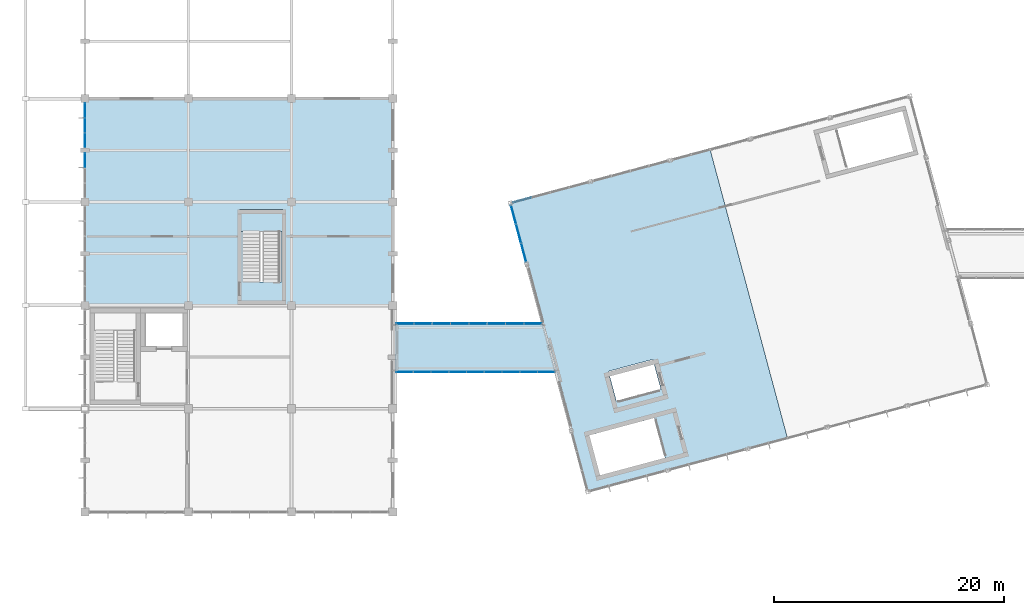
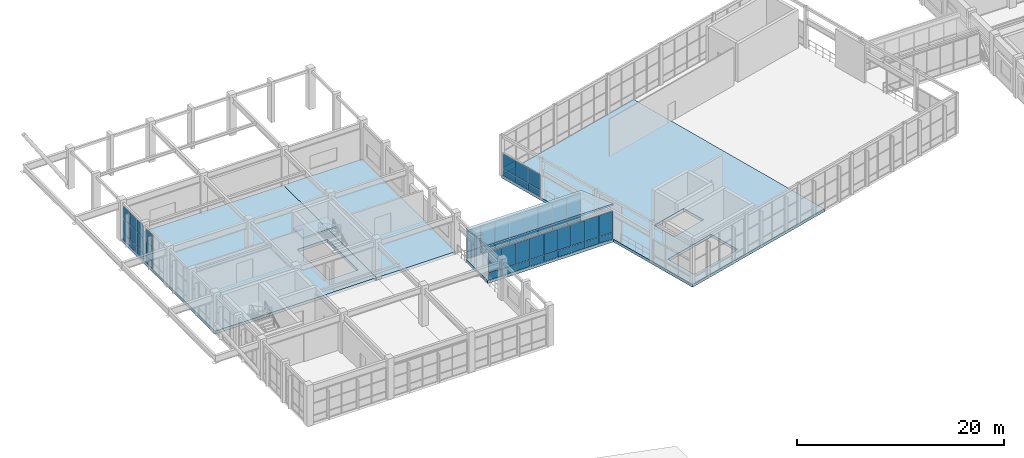
# One storey, part 73 of 99: 53 plates, 6 slabs, 7 elements without a shape of their own.
"""IFC4 building model written with IfcOpenShell, lengths in metres."""

from ifc_helpers import new_model, si_unit, direction, frame, origin, origin_2d, place, context, subcontext, project, spatial, polyline, rectangle, outline, extrude, material, layer, layer_set, type_object, element, aggregate, save


model = new_model("IFC4")

# Units and contexts
model_context = context("Model", 3, precision=1e-05, world=origin(), true_north=direction((0.0, 1.0)))
body_context = subcontext(model_context, "Body", "Model", "MODEL_VIEW")
ifc_project = project(units=[si_unit("LENGTHUNIT", "METRE"), si_unit("AREAUNIT", "SQUARE_METRE"), si_unit("VOLUMEUNIT", "CUBIC_METRE"), si_unit("PLANEANGLEUNIT", "RADIAN"), si_unit("MASSUNIT", "GRAM", prefix="KILO")], contexts=[model_context])

# Site, building, storey
site_placement = place(None, origin())
site = spatial("IfcSite", under=ifc_project, at=site_placement, CompositionType="ELEMENT")
building_placement = place(site_placement, origin())
building = spatial("IfcBuilding", under=site, at=building_placement, Name="Ventoquebrada Cableway Terminal", CompositionType="ELEMENT")
storey_placement = place(building_placement, frame((0.0, 0.0, 9.60009765625)))
storey = spatial("IfcBuildingStorey", under=building, at=storey_placement, Name="L02", CompositionType="ELEMENT", Elevation=9.60009765625)

# Curtain wall, plates
ifc_material_1 = material(Name="Anodized thermally-broken aluminium", Category="aluminium")
ifc_layer_1 = layer(ifc_material_1, 0.159912109375)
ifc_layer_set_1 = layer_set([ifc_layer_1], Name="Anodized thermally-broken aluminium")
curtain_wall_type_1 = type_object("IfcCurtainWallType", Name="CW-T17", PredefinedType="USERDEFINED", material=ifc_layer_set_1)
curtain_wall_1_placement = place(storey_placement, origin())
curtain_wall_1 = element("IfcCurtainWall", 1, at=curtain_wall_1_placement, inside=storey, type_object=curtain_wall_type_1, Name="Unitised glazed curtain wall CW-049", ObjectType="UNITISED CURTAIN WALL", PredefinedType="USERDEFINED")
ifc_material_2 = material(Name="Double low-e laminated safety glazing", Category="glass")
ifc_layer_2 = layer(ifc_material_2, 0.031982421875)
ifc_layer_set_2 = layer_set([ifc_layer_2], Name="Double low-e laminated safety glazing")
plate_type_1 = type_object("IfcPlateType", Name="CWP-GL1", PredefinedType="CURTAIN_PANEL", material=ifc_layer_set_2)
plate_1_placement = place(storey_placement, frame((8.199951171875, 102.969970703125, 2.603271484375), z_axis=(0.0, 0.0, 1.0), x_axis=(0.0, -1.0, 0.0)))
plate_1 = element("IfcPlate", 2, at=plate_1_placement, type_object=plate_type_1, Name="Vision glazing panel PN-0494", PredefinedType="CURTAIN_PANEL", context=body_context, shape_type="SweptSolid", body=[
    extrude(rectangle(XDim=1.22900390625, YDim=0.031982421875, at=origin_2d()), origin(), (0.0, 0.0, 1.0), 1.4970703125),
])
plate_2_placement = place(storey_placement, frame((8.199951171875, 101.675048828125, 0.8740234375), z_axis=(0.0, 0.0, 1.0), x_axis=(0.0, -1.0, 0.0)))
plate_2 = element("IfcPlate", 3, at=plate_2_placement, type_object=plate_type_1, Name="Vision glazing panel PN-0496", PredefinedType="CURTAIN_PANEL", context=body_context, shape_type="SweptSolid", body=[
    extrude(rectangle(XDim=1.263916015625, YDim=0.031982421875, at=origin_2d()), origin(), (0.0, 0.0, 1.0), 1.679931640625),
])
plate_3_placement = place(storey_placement, frame((8.199951171875, 100.37890625, 2.603271484375), z_axis=(0.0, 0.0, 1.0), x_axis=(0.0, -1.0, 0.0)))
plate_3 = element("IfcPlate", 4, at=plate_3_placement, type_object=plate_type_1, Name="Vision glazing panel PN-0500", PredefinedType="CURTAIN_PANEL", context=body_context, shape_type="SweptSolid", body=[
    extrude(rectangle(XDim=1.22900390625, YDim=0.031982421875, at=origin_2d()), origin(), (0.0, 0.0, 1.0), 1.4970703125),
])

# Curtain wall, plate
curtain_wall_2_placement = place(storey_placement, origin())
curtain_wall_2 = element("IfcCurtainWall", 5, at=curtain_wall_2_placement, inside=storey, type_object=curtain_wall_type_1, Name="Unitised glazed curtain wall CW-050", ObjectType="UNITISED CURTAIN WALL", PredefinedType="USERDEFINED")
plate_4_placement = place(storey_placement, frame((8.199951171875, 98.62109375, 2.603271484375), z_axis=(0.0, 0.0, 1.0), x_axis=(0.0, -1.0, 0.0)))
plate_4 = element("IfcPlate", 6, at=plate_4_placement, type_object=plate_type_1, Name="Vision glazing panel PN-0503", PredefinedType="CURTAIN_PANEL", context=body_context, shape_type="SweptSolid", body=[
    extrude(rectangle(XDim=1.22900390625, YDim=0.031982421875, at=origin_2d()), origin(), (0.0, 0.0, 1.0), 1.4970703125),
])

ifc_layer_3 = layer(ifc_material_1, 0.159912109375)
ifc_layer_set_3 = layer_set([ifc_layer_3], Name="Anodized thermally-broken aluminium")
curtain_wall_type_2 = type_object("IfcCurtainWallType", Name="CW-T41", PredefinedType="USERDEFINED", material=ifc_layer_set_3)
curtain_wall_3_placement = place(storey_placement, origin())
curtain_wall_3 = element("IfcCurtainWall", 7, at=curtain_wall_3_placement, inside=storey, type_object=curtain_wall_type_2, Name="Unitised glazed curtain wall CW-112", ObjectType="UNITISED CURTAIN WALL", PredefinedType="USERDEFINED")
plate_5_placement = place(storey_placement, frame((45.9599609375, 92.241943359375, 0.87890625), z_axis=(0.0, 0.0, 1.0), x_axis=(0.258616736395, -0.965980012038, 0.0)))
plate_5 = element("IfcPlate", 8, at=plate_5_placement, type_object=plate_type_1, Name="Vision glazing panel PN-1176", PredefinedType="CURTAIN_PANEL", context=body_context, shape_type="SweptSolid", body=[
    extrude(rectangle(XDim=1.6689453125, YDim=0.031982421875, at=origin_2d()), origin(), (0.0, 0.0, 1.0), 1.80810546875),
])

# Curtain wall, plates
ifc_layer_4 = layer(ifc_material_1, 0.159912109375)
ifc_layer_set_4 = layer_set([ifc_layer_4], Name="Anodized thermally-broken aluminium")
curtain_wall_type_3 = type_object("IfcCurtainWallType", Name="CW-T52", PredefinedType="USERDEFINED", material=ifc_layer_set_4)
curtain_wall_4_placement = place(storey_placement, origin())
curtain_wall_4 = element("IfcCurtainWall", 9, at=curtain_wall_4_placement, inside=storey, type_object=curtain_wall_type_3, Name="Unitised glazed curtain wall CW-171", ObjectType="UNITISED CURTAIN WALL", PredefinedType="USERDEFINED")
plate_6_placement = place(storey_placement, frame((37.56103515625, 80.199951171875, 0.87158203125), z_axis=(0.0, 0.0, 1.0), x_axis=(1.0, 0.0, 0.0)))
plate_6 = element("IfcPlate", 10, at=plate_6_placement, type_object=plate_type_1, Name="Vision glazing panel PN-1794", PredefinedType="CURTAIN_PANEL", context=body_context, shape_type="SweptSolid", body=[
    extrude(rectangle(XDim=1.5, YDim=0.031982421875, at=origin_2d()), origin(), (0.0, 0.0, 1.0), 2.470947265625),
])
plate_7_placement = place(storey_placement, frame((40.64892578125, 80.199951171875, 0.87158203125), z_axis=(0.0, 0.0, 1.0), x_axis=(1.0, 0.0, 0.0)))
plate_7 = element("IfcPlate", 11, at=plate_7_placement, type_object=plate_type_1, Name="Vision glazing panel PN-1798", PredefinedType="CURTAIN_PANEL", context=body_context, shape_type="SweptSolid", body=[
    extrude(rectangle(XDim=1.5, YDim=0.031982421875, at=origin_2d()), origin(), (0.0, 0.0, 1.0), 2.470947265625),
])
plate_8_placement = place(storey_placement, frame((43.738037109375, 80.199951171875, 0.87158203125), z_axis=(0.0, 0.0, 1.0), x_axis=(1.0, 0.0, 0.0)))
plate_8 = element("IfcPlate", 12, at=plate_8_placement, type_object=plate_type_1, Name="Vision glazing panel PN-1802", PredefinedType="CURTAIN_PANEL", context=body_context, shape_type="SweptSolid", body=[
    extrude(rectangle(XDim=1.5, YDim=0.031982421875, at=origin_2d()), origin(), (0.0, 0.0, 1.0), 2.470947265625),
])
plate_9_placement = place(storey_placement, frame((46.825927734375, 80.199951171875, 0.87158203125), z_axis=(0.0, 0.0, 1.0), x_axis=(1.0, 0.0, 0.0)))
plate_9 = element("IfcPlate", 13, at=plate_9_placement, type_object=plate_type_1, Name="Vision glazing panel PN-1806", PredefinedType="CURTAIN_PANEL", context=body_context, shape_type="SweptSolid", body=[
    extrude(rectangle(XDim=1.5, YDim=0.031982421875, at=origin_2d()), origin(), (0.0, 0.0, 1.0), 2.470947265625),
])

ifc_layer_5 = layer(ifc_material_1, 0.159912109375)
ifc_layer_set_5 = layer_set([ifc_layer_5], Name="Anodized thermally-broken aluminium")
curtain_wall_type_4 = type_object("IfcCurtainWallType", Name="CW-T53", PredefinedType="USERDEFINED", material=ifc_layer_set_5)
curtain_wall_5_placement = place(storey_placement, origin())
curtain_wall_5 = element("IfcCurtainWall", 14, at=curtain_wall_5_placement, inside=storey, type_object=curtain_wall_type_4, Name="Unitised glazed curtain wall CW-172", ObjectType="UNITISED CURTAIN WALL", PredefinedType="USERDEFINED")
plate_10_placement = place(storey_placement, frame((45.62109375, 84.39990234375, 0.87158203125), z_axis=(0.0, 0.0, 1.0), x_axis=(-1.0, 0.0, 0.0)))
plate_10 = element("IfcPlate", 15, at=plate_10_placement, type_object=plate_type_1, Name="Vision glazing panel PN-1812", PredefinedType="CURTAIN_PANEL", context=body_context, shape_type="SweptSolid", body=[
    extrude(rectangle(XDim=1.552001953125, YDim=0.031982421875, at=origin_2d()), origin(), (0.0, 0.0, 1.0), 2.470947265625),
])
plate_11_placement = place(storey_placement, frame((42.427978515625, 84.39990234375, 0.87158203125), z_axis=(0.0, 0.0, 1.0), x_axis=(-1.0, 0.0, 0.0)))
plate_11 = element("IfcPlate", 16, at=plate_11_placement, type_object=plate_type_1, Name="Vision glazing panel PN-1816", PredefinedType="CURTAIN_PANEL", context=body_context, shape_type="SweptSolid", body=[
    extrude(rectangle(XDim=1.552001953125, YDim=0.031982421875, at=origin_2d()), origin(), (0.0, 0.0, 1.0), 2.470947265625),
])
plate_12_placement = place(storey_placement, frame((39.236083984375, 84.39990234375, 0.87158203125), z_axis=(0.0, 0.0, 1.0), x_axis=(-1.0, 0.0, 0.0)))
plate_12 = element("IfcPlate", 17, at=plate_12_placement, type_object=plate_type_1, Name="Vision glazing panel PN-1820", PredefinedType="CURTAIN_PANEL", context=body_context, shape_type="SweptSolid", body=[
    extrude(rectangle(XDim=1.552001953125, YDim=0.031982421875, at=origin_2d()), origin(), (0.0, 0.0, 1.0), 2.470947265625),
])
plate_13_placement = place(storey_placement, frame((36.06103515625, 84.39990234375, 0.87158203125), z_axis=(0.0, 0.0, 1.0), x_axis=(-1.0, 0.0, 0.0)))
plate_13 = element("IfcPlate", 18, at=plate_13_placement, type_object=plate_type_1, Name="Vision glazing panel PN-1824", PredefinedType="CURTAIN_PANEL", context=body_context, shape_type="SweptSolid", body=[
    extrude(rectangle(XDim=1.51708984375, YDim=0.031982421875, at=origin_2d()), origin(), (0.0, 0.0, 1.0), 2.470947265625),
])

# Plate
ifc_layer_6 = layer(ifc_material_2, 0.0380859375)
ifc_layer_set_6 = layer_set([ifc_layer_6], Name="Double low-e laminated safety glazing")
plate_type_2 = type_object("IfcPlateType", Name="CWP-GL2", PredefinedType="CURTAIN_PANEL", material=ifc_layer_set_6)
plate_14_placement = place(storey_placement, frame((8.199951171875, 102.969970703125, 0.8740234375), z_axis=(0.0, 0.0, 1.0), x_axis=(0.0, -1.0, 0.0)))
plate_14 = element("IfcPlate", 19, at=plate_14_placement, type_object=plate_type_2, Name="Vision glazing panel PN-0493", PredefinedType="CURTAIN_PANEL", context=body_context, shape_type="SweptSolid", body=[
    extrude(rectangle(XDim=1.22900390625, YDim=0.0380859375, at=origin_2d()), origin(), (0.0, 0.0, 1.0), 1.679931640625),
])

plate_15_placement = place(storey_placement, frame((8.199951171875, 101.675048828125, 2.603271484375), z_axis=(0.0, 0.0, 1.0), x_axis=(0.0, -1.0, 0.0)))
plate_15 = element("IfcPlate", 20, at=plate_15_placement, type_object=plate_type_2, Name="Vision glazing panel PN-0497", PredefinedType="CURTAIN_PANEL", context=body_context, shape_type="SweptSolid", body=[
    extrude(rectangle(XDim=1.263916015625, YDim=0.0380859375, at=origin_2d()), origin(), (0.0, 0.0, 1.0), 1.4970703125),
])

plate_16_placement = place(storey_placement, frame((8.199951171875, 100.37890625, 0.8740234375), z_axis=(0.0, 0.0, 1.0), x_axis=(0.0, -1.0, 0.0)))
plate_16 = element("IfcPlate", 21, at=plate_16_placement, type_object=plate_type_2, Name="Vision glazing panel PN-0499", PredefinedType="CURTAIN_PANEL", context=body_context, shape_type="SweptSolid", body=[
    extrude(rectangle(XDim=1.22900390625, YDim=0.0380859375, at=origin_2d()), origin(), (0.0, 0.0, 1.0), 1.679931640625),
])

plate_17_placement = place(storey_placement, frame((8.199951171875, 98.62109375, 0.8740234375), z_axis=(0.0, 0.0, 1.0), x_axis=(0.0, -1.0, 0.0)))
plate_17 = element("IfcPlate", 22, at=plate_17_placement, type_object=plate_type_2, Name="Vision glazing panel PN-0502", PredefinedType="CURTAIN_PANEL", context=body_context, shape_type="SweptSolid", body=[
    extrude(rectangle(XDim=1.22900390625, YDim=0.0380859375, at=origin_2d()), origin(), (0.0, 0.0, 1.0), 1.679931640625),
])

plate_18_placement = place(storey_placement, frame((45.52197265625, 93.8798828125, 0.87890625), z_axis=(0.0, 0.0, 1.0), x_axis=(0.258616736395, -0.965980012038, 0.0)))
plate_18 = element("IfcPlate", 23, at=plate_18_placement, type_object=plate_type_2, Name="Vision glazing panel PN-1174", PredefinedType="CURTAIN_PANEL", context=body_context, shape_type="SweptSolid", body=[
    extrude(rectangle(XDim=1.634033203125, YDim=0.0380859375, at=origin_2d()), origin(), (0.0, 0.0, 1.0), 1.80810546875),
])

plate_19_placement = place(storey_placement, frame((46.39794921875, 90.60498046875, 0.87890625), z_axis=(0.0, 0.0, 1.0), x_axis=(0.258616736395, -0.965980012038, 0.0)))
plate_19 = element("IfcPlate", 24, at=plate_19_placement, type_object=plate_type_2, Name="Vision glazing panel PN-1178", PredefinedType="CURTAIN_PANEL", context=body_context, shape_type="SweptSolid", body=[
    extrude(rectangle(XDim=1.634033203125, YDim=0.0380859375, at=origin_2d()), origin(), (0.0, 0.0, 1.0), 1.80810546875),
])

plate_20_placement = place(storey_placement, frame((36.034912109375, 80.199951171875, 0.87158203125), z_axis=(0.0, 0.0, 1.0), x_axis=(1.0, 0.0, 0.0)))
plate_20 = element("IfcPlate", 25, at=plate_20_placement, type_object=plate_type_2, Name="Vision glazing panel PN-1792", PredefinedType="CURTAIN_PANEL", context=body_context, shape_type="SweptSolid", body=[
    extrude(rectangle(XDim=1.465087890625, YDim=0.0380859375, at=origin_2d()), origin(), (0.0, 0.0, 1.0), 2.470947265625),
])

plate_21_placement = place(storey_placement, frame((39.10498046875, 80.199951171875, 0.87158203125), z_axis=(0.0, 0.0, 1.0), x_axis=(1.0, 0.0, 0.0)))
plate_21 = element("IfcPlate", 26, at=plate_21_placement, type_object=plate_type_2, Name="Vision glazing panel PN-1796", PredefinedType="CURTAIN_PANEL", context=body_context, shape_type="SweptSolid", body=[
    extrude(rectangle(XDim=1.5, YDim=0.0380859375, at=origin_2d()), origin(), (0.0, 0.0, 1.0), 2.470947265625),
])

plate_22_placement = place(storey_placement, frame((42.194091796875, 80.199951171875, 0.87158203125), z_axis=(0.0, 0.0, 1.0), x_axis=(1.0, 0.0, 0.0)))
plate_22 = element("IfcPlate", 27, at=plate_22_placement, type_object=plate_type_2, Name="Vision glazing panel PN-1800", PredefinedType="CURTAIN_PANEL", context=body_context, shape_type="SweptSolid", body=[
    extrude(rectangle(XDim=1.5, YDim=0.0380859375, at=origin_2d()), origin(), (0.0, 0.0, 1.0), 2.470947265625),
])

plate_23_placement = place(storey_placement, frame((45.281982421875, 80.199951171875, 0.87158203125), z_axis=(0.0, 0.0, 1.0), x_axis=(1.0, 0.0, 0.0)))
plate_23 = element("IfcPlate", 28, at=plate_23_placement, type_object=plate_type_2, Name="Vision glazing panel PN-1804", PredefinedType="CURTAIN_PANEL", context=body_context, shape_type="SweptSolid", body=[
    extrude(rectangle(XDim=1.5, YDim=0.0380859375, at=origin_2d()), origin(), (0.0, 0.0, 1.0), 2.470947265625),
])

plate_24_placement = place(storey_placement, frame((48.35205078125, 80.199951171875, 0.87158203125), z_axis=(0.0, 0.0, 1.0), x_axis=(1.0, 0.0, 0.0)))
plate_24 = element("IfcPlate", 29, at=plate_24_placement, type_object=plate_type_2, Name="Vision glazing panel PN-1808", PredefinedType="CURTAIN_PANEL", context=body_context, shape_type="SweptSolid", body=[
    extrude(rectangle(XDim=1.465087890625, YDim=0.0380859375, at=origin_2d()), origin(), (0.0, 0.0, 1.0), 2.470947265625),
])

plate_25_placement = place(storey_placement, frame((47.200927734375, 84.39990234375, 0.87158203125), z_axis=(0.0, 0.0, 1.0), x_axis=(-1.0, 0.0, 0.0)))
plate_25 = element("IfcPlate", 30, at=plate_25_placement, type_object=plate_type_2, Name="Vision glazing panel PN-1810", PredefinedType="CURTAIN_PANEL", context=body_context, shape_type="SweptSolid", body=[
    extrude(rectangle(XDim=1.51708984375, YDim=0.0380859375, at=origin_2d()), origin(), (0.0, 0.0, 1.0), 2.470947265625),
])

plate_26_placement = place(storey_placement, frame((44.02490234375, 84.39990234375, 0.87158203125), z_axis=(0.0, 0.0, 1.0), x_axis=(-1.0, 0.0, 0.0)))
plate_26 = element("IfcPlate", 31, at=plate_26_placement, type_object=plate_type_2, Name="Vision glazing panel PN-1814", PredefinedType="CURTAIN_PANEL", context=body_context, shape_type="SweptSolid", body=[
    extrude(rectangle(XDim=1.552001953125, YDim=0.0380859375, at=origin_2d()), origin(), (0.0, 0.0, 1.0), 2.470947265625),
])

plate_27_placement = place(storey_placement, frame((40.83203125, 84.39990234375, 0.87158203125), z_axis=(0.0, 0.0, 1.0), x_axis=(-1.0, 0.0, 0.0)))
plate_27 = element("IfcPlate", 32, at=plate_27_placement, type_object=plate_type_2, Name="Vision glazing panel PN-1818", PredefinedType="CURTAIN_PANEL", context=body_context, shape_type="SweptSolid", body=[
    extrude(rectangle(XDim=1.552001953125, YDim=0.0380859375, at=origin_2d()), origin(), (0.0, 0.0, 1.0), 2.470947265625),
])

plate_28_placement = place(storey_placement, frame((37.638916015625, 84.39990234375, 0.87158203125), z_axis=(0.0, 0.0, 1.0), x_axis=(-1.0, 0.0, 0.0)))
plate_28 = element("IfcPlate", 33, at=plate_28_placement, type_object=plate_type_2, Name="Vision glazing panel PN-1822", PredefinedType="CURTAIN_PANEL", context=body_context, shape_type="SweptSolid", body=[
    extrude(rectangle(XDim=1.552001953125, YDim=0.0380859375, at=origin_2d()), origin(), (0.0, 0.0, 1.0), 2.470947265625),
])

ifc_material_3 = material(Name="Insulated aluminium spandrel cassette", Category="aluminium")
ifc_layer_7 = layer(ifc_material_3, 0.044921875)
ifc_layer_set_7 = layer_set([ifc_layer_7], Name="Insulated aluminium spandrel cassette")
plate_type_3 = type_object("IfcPlateType", Name="CWP-SP1", PredefinedType="CURTAIN_PANEL", material=ifc_layer_set_7)
plate_29_placement = place(storey_placement, frame((8.199951171875, 102.969970703125, 0.059814453125), z_axis=(0.0, 0.0, 1.0), x_axis=(0.0, -1.0, 0.0)))
plate_29 = element("IfcPlate", 34, at=plate_29_placement, type_object=plate_type_3, Name="Insulated spandrel panel PN-0492", PredefinedType="CURTAIN_PANEL", context=body_context, shape_type="SweptSolid", body=[
    extrude(rectangle(XDim=1.22900390625, YDim=0.044921875, at=origin_2d()), origin(), (0.0, 0.0, 1.0), 0.76611328125),
])

plate_30_placement = place(storey_placement, frame((8.199951171875, 101.675048828125, 0.059814453125), z_axis=(0.0, 0.0, 1.0), x_axis=(0.0, -1.0, 0.0)))
plate_30 = element("IfcPlate", 35, at=plate_30_placement, type_object=plate_type_3, Name="Insulated spandrel panel PN-0495", PredefinedType="CURTAIN_PANEL", context=body_context, shape_type="SweptSolid", body=[
    extrude(rectangle(XDim=1.263916015625, YDim=0.044921875, at=origin_2d()), origin(), (0.0, 0.0, 1.0), 0.76611328125),
])

plate_31_placement = place(storey_placement, frame((8.199951171875, 100.37890625, 0.059814453125), z_axis=(0.0, 0.0, 1.0), x_axis=(0.0, -1.0, 0.0)))
plate_31 = element("IfcPlate", 36, at=plate_31_placement, type_object=plate_type_3, Name="Insulated spandrel panel PN-0498", PredefinedType="CURTAIN_PANEL", context=body_context, shape_type="SweptSolid", body=[
    extrude(rectangle(XDim=1.22900390625, YDim=0.044921875, at=origin_2d()), origin(), (0.0, 0.0, 1.0), 0.76611328125),
])

aggregate(curtain_wall_1, [plate_29, plate_14, plate_1, plate_30, plate_2, plate_15, plate_31, plate_16, plate_3])

plate_32_placement = place(storey_placement, frame((8.199951171875, 98.62109375, 0.059814453125), z_axis=(0.0, 0.0, 1.0), x_axis=(0.0, -1.0, 0.0)))
plate_32 = element("IfcPlate", 37, at=plate_32_placement, type_object=plate_type_3, Name="Insulated spandrel panel PN-0501", PredefinedType="CURTAIN_PANEL", context=body_context, shape_type="SweptSolid", body=[
    extrude(rectangle(XDim=1.22900390625, YDim=0.044921875, at=origin_2d()), origin(), (0.0, 0.0, 1.0), 0.76611328125),
])

aggregate(curtain_wall_2, [plate_32, plate_17, plate_4])

# Curtain wall, plate
ifc_layer_8 = layer(ifc_material_1, 0.159912109375)
ifc_layer_set_8 = layer_set([ifc_layer_8], Name="Anodized thermally-broken aluminium")
curtain_wall_type_5 = type_object("IfcCurtainWallType", Name="CW-T40", PredefinedType="USERDEFINED", material=ifc_layer_set_8)
curtain_wall_6_placement = place(storey_placement, origin())
curtain_wall_6 = element("IfcCurtainWall", 38, at=curtain_wall_6_placement, inside=storey, type_object=curtain_wall_type_5, Name="Unitised glazed curtain wall CW-106", ObjectType="UNITISED CURTAIN WALL", PredefinedType="USERDEFINED")
plate_33_placement = place(storey_placement, frame((46.26611328125, 95.1708984375, 0.059814453125), z_axis=(0.0, 0.0, 1.0), x_axis=(-0.965930343386, -0.258802186477, 0.0)))
plate_33 = element("IfcPlate", 39, at=plate_33_placement, type_object=plate_type_3, Name="Insulated spandrel panel PN-1116", PredefinedType="CURTAIN_PANEL", context=body_context, shape_type="SweptSolid", body=[
    extrude(rectangle(XDim=1.615966796875, YDim=0.044921875, at=origin_2d()), origin(), (0.0, 0.0, 1.0), 0.76611328125),
])
aggregate(curtain_wall_6, [plate_33])

# Plate
plate_34_placement = place(storey_placement, frame((45.52197265625, 93.8798828125, 0.06494140625), z_axis=(0.0, 0.0, 1.0), x_axis=(0.258616736395, -0.965980012038, 0.0)))
plate_34 = element("IfcPlate", 40, at=plate_34_placement, type_object=plate_type_3, Name="Insulated spandrel panel PN-1173", PredefinedType="CURTAIN_PANEL", context=body_context, shape_type="SweptSolid", body=[
    extrude(rectangle(XDim=1.634033203125, YDim=0.044921875, at=origin_2d()), origin(), (0.0, 0.0, 1.0), 0.756103515625),
])

plate_35_placement = place(storey_placement, frame((45.9599609375, 92.241943359375, 0.06494140625), z_axis=(0.0, 0.0, 1.0), x_axis=(0.258616736395, -0.965980012038, 0.0)))
plate_35 = element("IfcPlate", 41, at=plate_35_placement, type_object=plate_type_3, Name="Insulated spandrel panel PN-1175", PredefinedType="CURTAIN_PANEL", context=body_context, shape_type="SweptSolid", body=[
    extrude(rectangle(XDim=1.6689453125, YDim=0.044921875, at=origin_2d()), origin(), (0.0, 0.0, 1.0), 0.756103515625),
])

plate_36_placement = place(storey_placement, frame((46.39794921875, 90.60498046875, 0.06494140625), z_axis=(0.0, 0.0, 1.0), x_axis=(0.258616736395, -0.965980012038, 0.0)))
plate_36 = element("IfcPlate", 42, at=plate_36_placement, type_object=plate_type_3, Name="Insulated spandrel panel PN-1177", PredefinedType="CURTAIN_PANEL", context=body_context, shape_type="SweptSolid", body=[
    extrude(rectangle(XDim=1.634033203125, YDim=0.044921875, at=origin_2d()), origin(), (0.0, 0.0, 1.0), 0.756103515625),
])

aggregate(curtain_wall_3, [plate_34, plate_18, plate_35, plate_5, plate_36, plate_19])

plate_37_placement = place(storey_placement, frame((36.034912109375, 80.199951171875, 0.057373046875), z_axis=(0.0, 0.0, 1.0), x_axis=(1.0, 0.0, 0.0)))
plate_37 = element("IfcPlate", 43, at=plate_37_placement, type_object=plate_type_3, Name="Insulated spandrel panel PN-1791", PredefinedType="CURTAIN_PANEL", context=body_context, shape_type="SweptSolid", body=[
    extrude(rectangle(XDim=1.465087890625, YDim=0.044921875, at=origin_2d()), origin(), (0.0, 0.0, 1.0), 0.77099609375),
])

plate_38_placement = place(storey_placement, frame((37.56103515625, 80.199951171875, 0.057373046875), z_axis=(0.0, 0.0, 1.0), x_axis=(1.0, 0.0, 0.0)))
plate_38 = element("IfcPlate", 44, at=plate_38_placement, type_object=plate_type_3, Name="Insulated spandrel panel PN-1793", PredefinedType="CURTAIN_PANEL", context=body_context, shape_type="SweptSolid", body=[
    extrude(rectangle(XDim=1.5, YDim=0.044921875, at=origin_2d()), origin(), (0.0, 0.0, 1.0), 0.77099609375),
])

plate_39_placement = place(storey_placement, frame((39.10498046875, 80.199951171875, 0.057373046875), z_axis=(0.0, 0.0, 1.0), x_axis=(1.0, 0.0, 0.0)))
plate_39 = element("IfcPlate", 45, at=plate_39_placement, type_object=plate_type_3, Name="Insulated spandrel panel PN-1795", PredefinedType="CURTAIN_PANEL", context=body_context, shape_type="SweptSolid", body=[
    extrude(rectangle(XDim=1.5, YDim=0.044921875, at=origin_2d()), origin(), (0.0, 0.0, 1.0), 0.77099609375),
])

plate_40_placement = place(storey_placement, frame((40.64892578125, 80.199951171875, 0.057373046875), z_axis=(0.0, 0.0, 1.0), x_axis=(1.0, 0.0, 0.0)))
plate_40 = element("IfcPlate", 46, at=plate_40_placement, type_object=plate_type_3, Name="Insulated spandrel panel PN-1797", PredefinedType="CURTAIN_PANEL", context=body_context, shape_type="SweptSolid", body=[
    extrude(rectangle(XDim=1.5, YDim=0.044921875, at=origin_2d()), origin(), (0.0, 0.0, 1.0), 0.77099609375),
])

plate_41_placement = place(storey_placement, frame((42.194091796875, 80.199951171875, 0.057373046875), z_axis=(0.0, 0.0, 1.0), x_axis=(1.0, 0.0, 0.0)))
plate_41 = element("IfcPlate", 47, at=plate_41_placement, type_object=plate_type_3, Name="Insulated spandrel panel PN-1799", PredefinedType="CURTAIN_PANEL", context=body_context, shape_type="SweptSolid", body=[
    extrude(rectangle(XDim=1.5, YDim=0.044921875, at=origin_2d()), origin(), (0.0, 0.0, 1.0), 0.77099609375),
])

plate_42_placement = place(storey_placement, frame((43.738037109375, 80.199951171875, 0.057373046875), z_axis=(0.0, 0.0, 1.0), x_axis=(1.0, 0.0, 0.0)))
plate_42 = element("IfcPlate", 48, at=plate_42_placement, type_object=plate_type_3, Name="Insulated spandrel panel PN-1801", PredefinedType="CURTAIN_PANEL", context=body_context, shape_type="SweptSolid", body=[
    extrude(rectangle(XDim=1.5, YDim=0.044921875, at=origin_2d()), origin(), (0.0, 0.0, 1.0), 0.77099609375),
])

plate_43_placement = place(storey_placement, frame((45.281982421875, 80.199951171875, 0.057373046875), z_axis=(0.0, 0.0, 1.0), x_axis=(1.0, 0.0, 0.0)))
plate_43 = element("IfcPlate", 49, at=plate_43_placement, type_object=plate_type_3, Name="Insulated spandrel panel PN-1803", PredefinedType="CURTAIN_PANEL", context=body_context, shape_type="SweptSolid", body=[
    extrude(rectangle(XDim=1.5, YDim=0.044921875, at=origin_2d()), origin(), (0.0, 0.0, 1.0), 0.77099609375),
])

plate_44_placement = place(storey_placement, frame((46.825927734375, 80.199951171875, 0.057373046875), z_axis=(0.0, 0.0, 1.0), x_axis=(1.0, 0.0, 0.0)))
plate_44 = element("IfcPlate", 50, at=plate_44_placement, type_object=plate_type_3, Name="Insulated spandrel panel PN-1805", PredefinedType="CURTAIN_PANEL", context=body_context, shape_type="SweptSolid", body=[
    extrude(rectangle(XDim=1.5, YDim=0.044921875, at=origin_2d()), origin(), (0.0, 0.0, 1.0), 0.77099609375),
])

plate_45_placement = place(storey_placement, frame((48.35205078125, 80.199951171875, 0.057373046875), z_axis=(0.0, 0.0, 1.0), x_axis=(1.0, 0.0, 0.0)))
plate_45 = element("IfcPlate", 51, at=plate_45_placement, type_object=plate_type_3, Name="Insulated spandrel panel PN-1807", PredefinedType="CURTAIN_PANEL", context=body_context, shape_type="SweptSolid", body=[
    extrude(rectangle(XDim=1.465087890625, YDim=0.044921875, at=origin_2d()), origin(), (0.0, 0.0, 1.0), 0.77099609375),
])

aggregate(curtain_wall_4, [plate_37, plate_20, plate_38, plate_6, plate_39, plate_21, plate_40, plate_7, plate_41, plate_22, plate_42, plate_8, plate_43, plate_23, plate_44, plate_9, plate_45, plate_24])

plate_46_placement = place(storey_placement, frame((47.200927734375, 84.39990234375, 0.057373046875), z_axis=(0.0, 0.0, 1.0), x_axis=(-1.0, 0.0, 0.0)))
plate_46 = element("IfcPlate", 52, at=plate_46_placement, type_object=plate_type_3, Name="Insulated spandrel panel PN-1809", PredefinedType="CURTAIN_PANEL", context=body_context, shape_type="SweptSolid", body=[
    extrude(rectangle(XDim=1.51708984375, YDim=0.044921875, at=origin_2d()), origin(), (0.0, 0.0, 1.0), 0.77099609375),
])

plate_47_placement = place(storey_placement, frame((45.62109375, 84.39990234375, 0.057373046875), z_axis=(0.0, 0.0, 1.0), x_axis=(-1.0, 0.0, 0.0)))
plate_47 = element("IfcPlate", 53, at=plate_47_placement, type_object=plate_type_3, Name="Insulated spandrel panel PN-1811", PredefinedType="CURTAIN_PANEL", context=body_context, shape_type="SweptSolid", body=[
    extrude(rectangle(XDim=1.552001953125, YDim=0.044921875, at=origin_2d()), origin(), (0.0, 0.0, 1.0), 0.77099609375),
])

plate_48_placement = place(storey_placement, frame((44.02490234375, 84.39990234375, 0.057373046875), z_axis=(0.0, 0.0, 1.0), x_axis=(-1.0, 0.0, 0.0)))
plate_48 = element("IfcPlate", 54, at=plate_48_placement, type_object=plate_type_3, Name="Insulated spandrel panel PN-1813", PredefinedType="CURTAIN_PANEL", context=body_context, shape_type="SweptSolid", body=[
    extrude(rectangle(XDim=1.552001953125, YDim=0.044921875, at=origin_2d()), origin(), (0.0, 0.0, 1.0), 0.77099609375),
])

plate_49_placement = place(storey_placement, frame((42.427978515625, 84.39990234375, 0.057373046875), z_axis=(0.0, 0.0, 1.0), x_axis=(-1.0, 0.0, 0.0)))
plate_49 = element("IfcPlate", 55, at=plate_49_placement, type_object=plate_type_3, Name="Insulated spandrel panel PN-1815", PredefinedType="CURTAIN_PANEL", context=body_context, shape_type="SweptSolid", body=[
    extrude(rectangle(XDim=1.552001953125, YDim=0.044921875, at=origin_2d()), origin(), (0.0, 0.0, 1.0), 0.77099609375),
])

plate_50_placement = place(storey_placement, frame((40.83203125, 84.39990234375, 0.057373046875), z_axis=(0.0, 0.0, 1.0), x_axis=(-1.0, 0.0, 0.0)))
plate_50 = element("IfcPlate", 56, at=plate_50_placement, type_object=plate_type_3, Name="Insulated spandrel panel PN-1817", PredefinedType="CURTAIN_PANEL", context=body_context, shape_type="SweptSolid", body=[
    extrude(rectangle(XDim=1.552001953125, YDim=0.044921875, at=origin_2d()), origin(), (0.0, 0.0, 1.0), 0.77099609375),
])

plate_51_placement = place(storey_placement, frame((39.236083984375, 84.39990234375, 0.057373046875), z_axis=(0.0, 0.0, 1.0), x_axis=(-1.0, 0.0, 0.0)))
plate_51 = element("IfcPlate", 57, at=plate_51_placement, type_object=plate_type_3, Name="Insulated spandrel panel PN-1819", PredefinedType="CURTAIN_PANEL", context=body_context, shape_type="SweptSolid", body=[
    extrude(rectangle(XDim=1.552001953125, YDim=0.044921875, at=origin_2d()), origin(), (0.0, 0.0, 1.0), 0.77099609375),
])

plate_52_placement = place(storey_placement, frame((37.638916015625, 84.39990234375, 0.057373046875), z_axis=(0.0, 0.0, 1.0), x_axis=(-1.0, 0.0, 0.0)))
plate_52 = element("IfcPlate", 58, at=plate_52_placement, type_object=plate_type_3, Name="Insulated spandrel panel PN-1821", PredefinedType="CURTAIN_PANEL", context=body_context, shape_type="SweptSolid", body=[
    extrude(rectangle(XDim=1.552001953125, YDim=0.044921875, at=origin_2d()), origin(), (0.0, 0.0, 1.0), 0.77099609375),
])

plate_53_placement = place(storey_placement, frame((36.06103515625, 84.39990234375, 0.057373046875), z_axis=(0.0, 0.0, 1.0), x_axis=(-1.0, 0.0, 0.0)))
plate_53 = element("IfcPlate", 59, at=plate_53_placement, type_object=plate_type_3, Name="Insulated spandrel panel PN-1823", PredefinedType="CURTAIN_PANEL", context=body_context, shape_type="SweptSolid", body=[
    extrude(rectangle(XDim=1.51708984375, YDim=0.044921875, at=origin_2d()), origin(), (0.0, 0.0, 1.0), 0.77099609375),
])

aggregate(curtain_wall_5, [plate_46, plate_25, plate_47, plate_10, plate_48, plate_26, plate_49, plate_11, plate_50, plate_27, plate_51, plate_12, plate_52, plate_28, plate_53, plate_13])

# Slabs
ifc_material_4 = material(Name="Concrete C40/50", Category="concrete")
ifc_layer_9 = layer(ifc_material_4, 0.324951171875)
ifc_layer_set_9 = layer_set([ifc_layer_9], Name="Concrete C40/50")
slab_type_1 = type_object("IfcSlabType", Name="SL-DK1", PredefinedType="FLOOR", material=ifc_layer_set_9)
slab_1_placement = place(storey_placement, frame((0.0, 0.0, -0.3251953125)))
element("IfcSlab", 60, at=slab_1_placement, inside=storey, type_object=slab_type_1, Name="Splayed boarding deck slab SL-073", PredefinedType="FLOOR", context=body_context, shape_type="SweptSolid", body=[
    extrude(outline(polyline([(45.2490234375, 94.89794921875), (51.97802734375, 69.783935546875), (69.364990234375, 74.443115234375), (62.635009765625, 99.556884765625), (45.2490234375, 94.89794921875)]), holes=[polyline([(58.7060546875, 72.72607421875), (52.9970703125, 71.196044921875), (52.06591796875, 74.673095703125), (57.77392578125, 76.202880859375), (58.7060546875, 72.72607421875)]), polyline([(54.47802734375, 77.64892578125), (53.779052734375, 80.257080078125), (57.64208984375, 81.2919921875), (58.341064453125, 78.68408203125), (54.47802734375, 77.64892578125)])]), origin(), (0.0, 0.0, 1.0), 0.3251953125),
])
slab_2_placement = place(storey_placement, frame((0.0, 0.0, -0.3251953125)))
element("IfcSlab", 61, at=slab_2_placement, inside=storey, type_object=slab_type_1, Name="Link bridge deck slab LP-2 SL-087", PredefinedType="FLOOR", context=body_context, shape_type="SweptSolid", body=[
    extrude(outline(polyline([(35.199951171875, 80.199951171875), (49.18701171875, 80.199951171875), (48.06103515625, 84.39990234375), (35.199951171875, 84.39990234375), (35.199951171875, 80.199951171875)])), origin(), (0.0, 0.0, 1.0), 0.3251953125),
])
ifc_layer_10 = layer(ifc_material_4, 0.3349609375)
ifc_layer_set_10 = layer_set([ifc_layer_10], Name="Concrete C40/50")
slab_type_2 = type_object("IfcSlabType", Name="SL-FL3", PredefinedType="FLOOR", material=ifc_layer_set_10)
slab_3_placement = place(storey_placement, frame((0.0, 0.0, -0.335205078125)))
element("IfcSlab", 62, at=slab_3_placement, inside=storey, type_object=slab_type_2, Name="Reinforced concrete floor slab SL-024", PredefinedType="FLOOR", context=body_context, shape_type="SweptSolid", body=[
    extrude(outline(polyline([(26.199951171875, 86.0), (26.199951171875, 104.0), (8.199951171875, 104.0), (8.199951171875, 86.0), (26.199951171875, 86.0)]), holes=[polyline([(25.300048828125, 88.0400390625), (21.949951171875, 88.0400390625), (21.949951171875, 93.949951171875), (25.300048828125, 93.949951171875), (25.300048828125, 88.0400390625)])]), origin(), (0.0, 0.0, 1.0), 0.335205078125),
])
slab_4_placement = place(storey_placement, frame((0.0, 0.0, -0.335205078125)))
element("IfcSlab", 63, at=slab_4_placement, inside=storey, type_object=slab_type_2, Name="Reinforced concrete floor slab SL-026", PredefinedType="FLOOR", context=body_context, shape_type="SweptSolid", body=[
    extrude(outline(polyline([(35.0, 86.0), (35.0, 104.0), (26.199951171875, 104.0), (26.199951171875, 86.0), (35.0, 86.0)])), origin(), (0.0, 0.0, 1.0), 0.335205078125),
])

# Stair, slab
stair_type = type_object("IfcStairType", Name="ST-T05", PredefinedType="HALF_TURN_STAIR", material=ifc_material_4)
stair_placement = place(storey_placement, origin())
stair = element("IfcStair", 64, at=stair_placement, inside=storey, type_object=stair_type, Name="Protected half-turn stair ST-16", PredefinedType="HALF_TURN_STAIR")
ifc_layer_11 = layer(ifc_material_4, 0.219970703125)
ifc_layer_set_11 = layer_set([ifc_layer_11], Name="Concrete C40/50")
slab_type_3 = type_object("IfcSlabType", Name="SL-LD1", PredefinedType="LANDING", material=ifc_layer_set_11)
slab_5_placement = place(storey_placement, frame((0.0, 0.0, 2.179931640625)))
slab_5 = element("IfcSlab", 65, at=slab_5_placement, type_object=slab_type_3, Name="Intermediate stair landing LDG-016", PredefinedType="LANDING", context=body_context, shape_type="SweptSolid", body=[
    extrude(outline(polyline([(25.4599609375, 92.43994140625), (25.4599609375, 94.360107421875), (21.679931640625, 94.360107421875), (21.679931640625, 92.43994140625), (25.4599609375, 92.43994140625)])), origin(), (0.0, 0.0, 1.0), 0.219970703125),
])
aggregate(stair, [slab_5])

# Slab
ifc_material_5 = material(Name="Concrete C45/55", Category="concrete")
ifc_layer_12 = layer(ifc_material_5, 0.260009765625)
ifc_layer_set_12 = layer_set([ifc_layer_12], Name="Concrete C45/55")
slab_type_4 = type_object("IfcSlabType", Name="SL-RF3", PredefinedType="ROOF", material=ifc_layer_set_12)
slab_6_placement = place(storey_placement, frame((35.199951171875, 80.175048828125, 4.004638671875), z_axis=(0.0, 0.130536507296, 0.991443503314), x_axis=(1.0, 0.0, 0.0)))
element("IfcSlab", 66, at=slab_6_placement, inside=storey, type_object=slab_type_4, Name="Link bridge sloped roof slab SL-088", PredefinedType="ROOF", context=body_context, shape_type="SweptSolid", body=[
    extrude(outline(polyline([(0.0, 0.0), (13.987060546875, 0.0), (12.861083984375, 4.236198187629683), (0.0, 4.236198187629683), (0.0, 0.0)])), origin(), (0.0, 0.0, 1.0), 0.18994140625),
])

save(model, "model.ifc")
